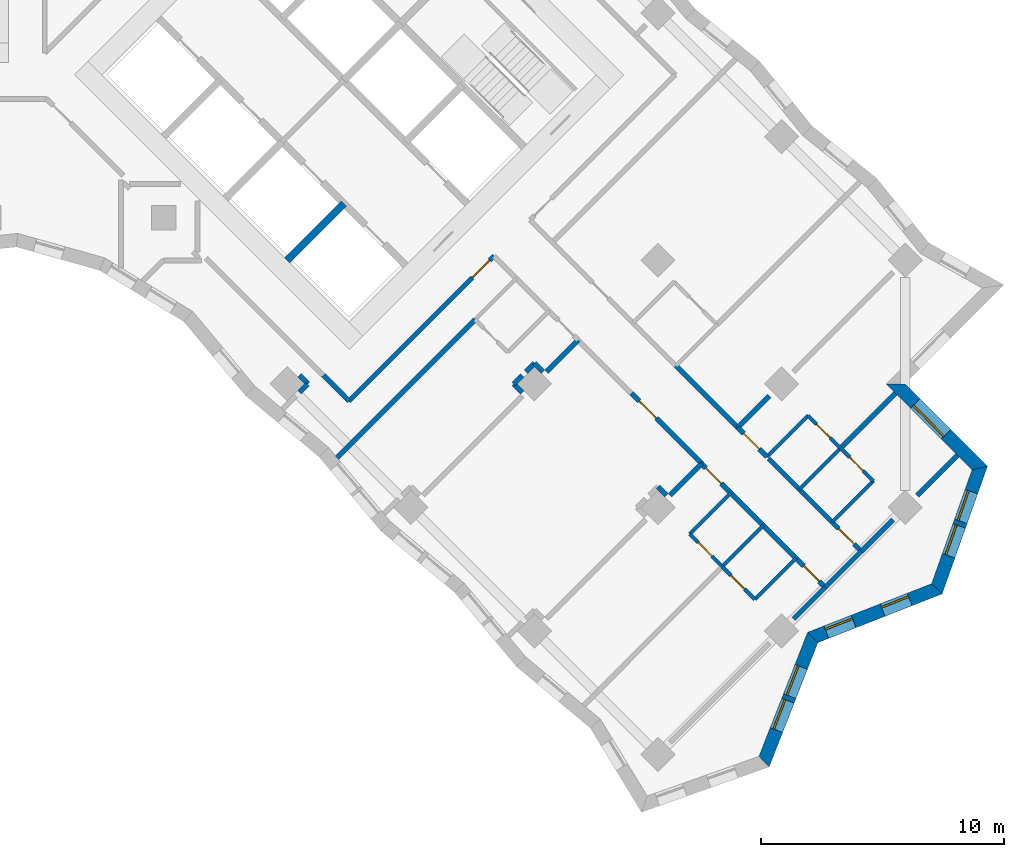
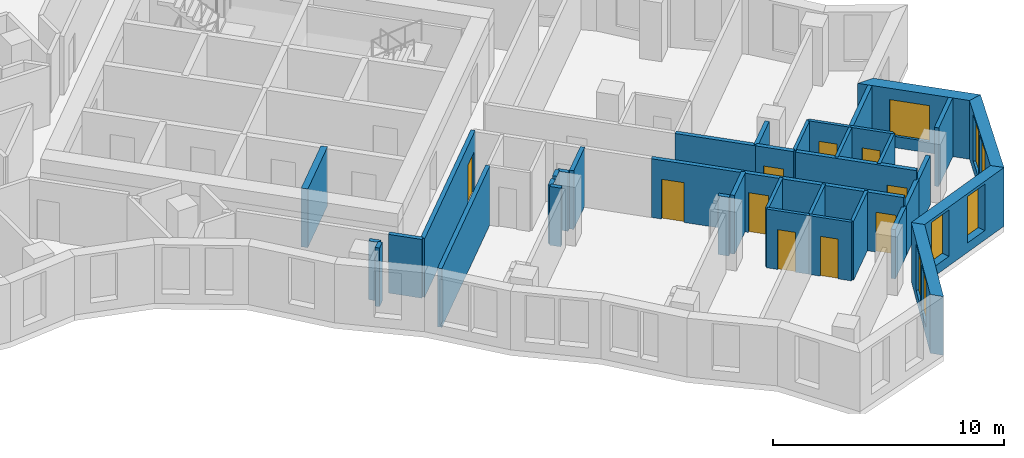
# One storey, part 8 of 12: 38 walls, 10 doors, 7 windows, 17 openings.
"""IFC4 building model written with IfcOpenShell, lengths in metres."""

import ifcopenshell
import ifcopenshell.guid

model = None  # the IFC model being written
_history = None  # IfcOwnerHistory: only IFC2X3 demands one
_inside = {}  # id of a spatial element -> (the spatial element, [elements in it])
_under = {}  # id of a project, library or spatial element -> (it, [spatial elements below it])
_declared = {}  # id of a project -> (the project, [libraries it declares])
_typed = {}  # id of a type object -> (the type object, [elements of that type])
_made_of = {}  # id of a material, layer set ... -> (it, [elements and type objects made of it])


def new_model(schema):
    """Start an empty IFC model of exactly this schema.

    Asked for "IFC4X3", IfcOpenShell would pick the latest addendum, in which some entities
    have other attributes; the version numbers below select the first issue.
    IFC2X3 requires an IfcOwnerHistory on every rooted entity: one is made here for all.
    """
    global model, _history
    if schema == "IFC4X3":
        model = ifcopenshell.file(schema_version=(4, 3, 0, 0))
    else:
        model = ifcopenshell.file(schema=schema)
    _inside.clear()
    _under.clear()
    _declared.clear()
    _typed.clear()
    _made_of.clear()
    _history = None
    if model.schema == "IFC2X3":
        org = make("IfcOrganization", Name="unknown")
        user = make(
            "IfcPersonAndOrganization",
            ThePerson=make("IfcPerson", FamilyName="unknown"),
            TheOrganization=org,
        )
        app = make(
            "IfcApplication",
            ApplicationDeveloper=org,
            Version="unknown",
            ApplicationFullName="unknown",
            ApplicationIdentifier="unknown",
        )
        _history = make(
            "IfcOwnerHistory",
            OwningUser=user,
            OwningApplication=app,
            ChangeAction="ADDED",
            CreationDate=0,
        )
    return model


def make(cls, **values):
    """One entity of the class cls with the attributes given. An attribute that is None is left unset."""
    return model.create_entity(
        cls, **{name: value for name, value in values.items() if value is not None}
    )


def rooted(cls, **values):
    """An entity with a GlobalId (a new one), such as an element, a storey or a relation."""
    return make(cls, GlobalId=ifcopenshell.guid.new(), OwnerHistory=_history, **values)


def si_unit(unit_type, name, prefix=None):
    """IfcSIUnit, for example si_unit("LENGTHUNIT", "METRE", prefix="MILLI")."""
    return make("IfcSIUnit", UnitType=unit_type, Prefix=prefix, Name=name)


def assignment(units):
    """IfcUnitAssignment: the units of a project."""
    return None if units is None else make("IfcUnitAssignment", Units=units)


def point(xyz):
    """IfcCartesianPoint."""
    return None if xyz is None else make("IfcCartesianPoint", Coordinates=xyz)


def direction(xyz):
    """IfcDirection."""
    return None if xyz is None else make("IfcDirection", DirectionRatios=xyz)


def frame(location, z_axis=None, x_axis=None):
    """IfcAxis2Placement3D, a coordinate frame: its origin and axes. An axis left out is left unset."""
    return make(
        "IfcAxis2Placement3D",
        Location=point(location),
        Axis=direction(z_axis),
        RefDirection=direction(x_axis),
    )


def frame_2d(location, x_axis=None):
    """IfcAxis2Placement2D, a coordinate frame in the plane: its origin and x axis."""
    return make(
        "IfcAxis2Placement2D", Location=point(location), RefDirection=direction(x_axis)
    )


def origin():
    """The frame at (0, 0, 0) with its axes left unset."""
    return frame((0.0, 0.0, 0.0))


def place(relative_to, where):
    """IfcLocalPlacement: puts the frame where relative to a parent placement (None: the world)."""
    return make(
        "IfcLocalPlacement", PlacementRelTo=relative_to, RelativePlacement=where
    )


def context(
    kind, dimensions, precision=None, world=None, true_north=None, identifier=None
):
    """IfcGeometricRepresentationContext, for example the 3D "Model" context."""
    return make(
        "IfcGeometricRepresentationContext",
        ContextIdentifier=identifier,
        ContextType=kind,
        CoordinateSpaceDimension=dimensions,
        Precision=precision,
        WorldCoordinateSystem=world,
        TrueNorth=true_north,
    )


def subcontext(parent, identifier, kind, view, scale=None):
    """IfcGeometricRepresentationSubContext, for example "Body" below "Model"."""
    return make(
        "IfcGeometricRepresentationSubContext",
        ContextIdentifier=identifier,
        ContextType=kind,
        ParentContext=parent,
        TargetScale=scale,
        TargetView=view,
    )


def project(units=None, contexts=None):
    """IfcProject with its units and contexts."""
    return rooted(
        "IfcProject",
        Name="project",
        RepresentationContexts=contexts,
        UnitsInContext=assignment(units),
    )


def spatial(cls, under=None, at=None, **own):
    """A site, building, storey or space (cls), placed at a placement, below another one or the project."""
    s = rooted(cls, ObjectPlacement=at, **own)
    if under is not None:
        _under.setdefault(under.id(), (under, []))[1].append(s)
    return s


def polyline(points):
    """IfcPolyline through the points."""
    return make("IfcPolyline", Points=[point(p) for p in points])


def profile(cls, at=None, kind="AREA", **sizes):
    """A parametric profile (cls). Its sizes go by their IFC names, for example OverallWidth=200.0."""
    return make(cls, ProfileType=kind, Position=at, **sizes)


def rectangle(**sizes):
    """IfcRectangleProfileDef."""
    return profile("IfcRectangleProfileDef", **sizes)


def outline(outer, holes=None, kind="AREA"):
    """IfcArbitraryClosedProfileDef: a profile drawn as a closed curve; with holes, ...WithVoids."""
    if holes is None:
        return make("IfcArbitraryClosedProfileDef", ProfileType=kind, OuterCurve=outer)
    return make(
        "IfcArbitraryProfileDefWithVoids",
        ProfileType=kind,
        OuterCurve=outer,
        InnerCurves=holes,
    )


def extrude(swept, where, along, depth):
    """IfcExtrudedAreaSolid: the profile swept, set in the frame where, extruded along a direction by depth."""
    return make(
        "IfcExtrudedAreaSolid",
        SweptArea=swept,
        Position=where,
        ExtrudedDirection=direction(along),
        Depth=depth,
    )


def shape(context_of_items, identifier, shape_type, items):
    """IfcShapeRepresentation: the items that make up one representation, for example the "Body"."""
    return make(
        "IfcShapeRepresentation",
        ContextOfItems=context_of_items,
        RepresentationIdentifier=identifier,
        RepresentationType=shape_type,
        Items=items,
    )


def material(Name=None, Category=None):
    """IfcMaterial."""
    return make("IfcMaterial", Name=Name, Category=Category)


def layer(
    of_material, thickness, ventilated=None, Name=None, Category=None, Priority=None
):
    """IfcMaterialLayer: one layer of a wall or slab, of a material (None: an air gap)."""
    return make(
        "IfcMaterialLayer",
        Material=of_material,
        LayerThickness=thickness,
        IsVentilated=ventilated,
        Name=Name,
        Category=Category,
        Priority=Priority,
    )


def layer_set(layers, Name=None):
    """IfcMaterialLayerSet."""
    return make("IfcMaterialLayerSet", MaterialLayers=layers, LayerSetName=Name)


def made_of(thing, what):
    """Note that an element or type object is made of a material, layer set ...; save() writes the relation."""
    if what is not None:
        _made_of.setdefault(what.id(), (what, []))[1].append(thing)
    return thing


def type_object(cls, material=None, **own):
    """A type object (cls), such as IfcWallType, which elements share."""
    return made_of(rooted(cls, **own), material)


def element(
    cls,
    number,
    at=None,
    inside=None,
    cuts=None,
    type_object=None,
    material=None,
    context=None,
    identifier="Body",
    shape_type=None,
    held_by="IfcProductDefinitionShape",
    body=None,
    shapes=None,
    **own,
):
    """One element of the class cls, such as IfcWall. Its Tag is "e" and its number.

    at: its placement. inside: the storey or other place that contains it. cuts: it is an
    opening in that element (IfcRelVoidsElement). A single representation is given by context,
    identifier, shape_type and body (its items); several are given by shapes. held_by: the class
    of the entity that holds the representations. save() writes the other relations.
    """
    e = rooted(cls, Tag="e%d" % number, ObjectPlacement=at, **own)
    if body is not None:
        shapes = [shape(context, identifier, shape_type, body)]
    if shapes is not None:
        e.Representation = make(held_by, Representations=shapes)
    if inside is not None:
        _inside.setdefault(inside.id(), (inside, []))[1].append(e)
    if cuts is not None:
        rooted(
            "IfcRelVoidsElement", RelatingBuildingElement=cuts, RelatedOpeningElement=e
        )
    if type_object is not None:
        _typed.setdefault(type_object.id(), (type_object, []))[1].append(e)
    return made_of(e, material)


def fill(opening, filler):
    """IfcRelFillsElement: the door or window that sits in an opening."""
    return rooted(
        "IfcRelFillsElement",
        RelatingOpeningElement=opening,
        RelatedBuildingElement=filler,
    )


def aggregate(whole, parts):
    """IfcRelAggregates: a whole, such as a stair, and the parts it consists of."""
    return rooted("IfcRelAggregates", RelatingObject=whole, RelatedObjects=parts)


def save(model, path):
    """Write the relations noted so far, then the file.

    IfcRelAggregates (storeys below a building ...), IfcRelContainedInSpatialStructure (elements
    in a storey), IfcRelDefinesByType, IfcRelAssociatesMaterial and IfcRelDeclares: one each for
    every whole, place, type object, material and project.
    """
    for whole, parts in _under.values():
        aggregate(whole, parts)
    for where, things in _inside.values():
        rooted(
            "IfcRelContainedInSpatialStructure",
            RelatedElements=things,
            RelatingStructure=where,
        )
    for kind, things in _typed.values():
        rooted("IfcRelDefinesByType", RelatedObjects=things, RelatingType=kind)
    for what, things in _made_of.values():
        rooted("IfcRelAssociatesMaterial", RelatedObjects=things, RelatingMaterial=what)
    for by, libraries in _declared.values():
        rooted("IfcRelDeclares", RelatingContext=by, RelatedDefinitions=libraries)
    model.write(path)


model = new_model("IFC4")

# Units and contexts
model_context = context("Model", 3, precision=1e-05, world=origin(), true_north=direction((0.0, 1.0)))
body_context = subcontext(model_context, "Body", "Model", "MODEL_VIEW")
ifc_project = project(units=[si_unit("LENGTHUNIT", "METRE"), si_unit("AREAUNIT", "SQUARE_METRE"), si_unit("VOLUMEUNIT", "CUBIC_METRE"), si_unit("PLANEANGLEUNIT", "RADIAN"), si_unit("MASSUNIT", "GRAM", prefix="KILO")], contexts=[model_context])

# Site, building, storey
site_placement = place(None, origin())
site = spatial("IfcSite", under=ifc_project, at=site_placement, CompositionType="ELEMENT")
building_placement = place(site_placement, origin())
building = spatial("IfcBuilding", under=site, at=building_placement, Name="Windrow Commons", CompositionType="ELEMENT")
storey_placement = place(building_placement, frame((0.0, 0.0, 88.0)))
storey = spatial("IfcBuildingStorey", under=building, at=storey_placement, Name="L23", CompositionType="ELEMENT", Elevation=88.0)

# Wall, openings, windows
ifc_material_1 = material(Name="Brick masonry, red clay brick", Category="masonry")
ifc_layer_1 = layer(ifc_material_1, 0.55)
ifc_layer_set_1 = layer_set([ifc_layer_1], Name="Brick facade wall 550")
wall_type_1 = type_object("IfcWallType", Name="Brick facade wall 550", PredefinedType="SOLIDWALL", material=ifc_layer_set_1)
wall_1_placement = place(storey_placement, frame((103.936, 20.7959, 0.0), z_axis=(0.0, 0.0, 1.0), x_axis=(0.3651939331, 0.9309314643, 0.0)))
wall_1 = element("IfcWall", 1, at=wall_1_placement, inside=storey, type_object=wall_type_1, Name="Brick facade wall L23 2", PredefinedType="SOLIDWALL", context=body_context, shape_type="SweptSolid", body=[
    extrude(outline(polyline([(-0.1254, -0.275), (5.374, -0.275), (5.6141, 0.275), (0.1254, 0.275), (-0.1254, -0.275)])), origin(), (0.0, 0.0, 1.0), 3.1),
])
opening_1_placement = place(wall_1_placement, frame((1.3973, 0.0, 0.5)))
opening_1 = element("IfcOpeningElement", 2, at=opening_1_placement, cuts=wall_1, Name="Opening W1P", PredefinedType="OPENING", context=body_context, shape_type="SweptSolid", body=[
    extrude(rectangle(XDim=1.3, YDim=2.45, at=frame_2d((0.65, 1.225))), frame((0.0, 0.285, 0.0), z_axis=(0.0, -1.0, 0.0), x_axis=(1.0, 0.0, 0.0)), (0.0, 0.0, 1.0), 0.57),
])
opening_2_placement = place(wall_1_placement, frame((2.8973, 0.0, 0.5)))
opening_2 = element("IfcOpeningElement", 3, at=opening_2_placement, cuts=wall_1, Name="Opening W1P", PredefinedType="OPENING", context=body_context, shape_type="SweptSolid", body=[
    extrude(rectangle(XDim=1.3, YDim=2.45, at=frame_2d((0.65, 1.225))), frame((0.0, 0.285, 0.0), z_axis=(0.0, -1.0, 0.0), x_axis=(1.0, 0.0, 0.0)), (0.0, 0.0, 1.0), 0.57),
])
ifc_material_2 = material(Name="Clear float glass in anodised aluminium frame", Category="aluminium")
window_type_1 = type_object("IfcWindowType", Name="Window W1P pair 1300x2450", PartitioningType="SINGLE_PANEL", PredefinedType="WINDOW", material=ifc_material_2)
window_1_placement = place(opening_1_placement, origin())
window_1 = element("IfcWindow", 4, at=window_1_placement, inside=storey, type_object=window_type_1, Name="Window L23 2.1A", OverallHeight=2.45, OverallWidth=1.3, PartitioningType="SINGLE_PANEL", PredefinedType="WINDOW", context=body_context, shape_type="SweptSolid", body=[
    extrude(rectangle(XDim=1.3, YDim=2.45, at=frame_2d((0.65, 1.225))), frame((0.0, 0.155, 0.0), z_axis=(0.0, -1.0, 0.0), x_axis=(1.0, 0.0, 0.0)), (0.0, 0.0, 1.0), 0.06),
])
fill(opening_1, window_1)
window_2_placement = place(opening_2_placement, origin())
window_2 = element("IfcWindow", 5, at=window_2_placement, inside=storey, type_object=window_type_1, Name="Window L23 2.1B", OverallHeight=2.45, OverallWidth=1.3, PartitioningType="SINGLE_PANEL", PredefinedType="WINDOW", context=body_context, shape_type="SweptSolid", body=[
    extrude(rectangle(XDim=1.3, YDim=2.45, at=frame_2d((0.65, 1.225))), frame((0.0, 0.155, 0.0), z_axis=(0.0, -1.0, 0.0), x_axis=(1.0, 0.0, 0.0)), (0.0, 0.0, 1.0), 0.06),
])
fill(opening_2, window_2)

wall_2_placement = place(storey_placement, frame((105.9424, 25.9105, 0.0), z_axis=(0.0, 0.0, 1.0), x_axis=(0.9309314643, 0.3651939331, 0.0)))
wall_2 = element("IfcWall", 6, at=wall_2_placement, inside=storey, type_object=wall_type_1, Name="Brick facade wall L23 3", PredefinedType="SOLIDWALL", context=body_context, shape_type="SweptSolid", body=[
    extrude(outline(polyline([(0.12, -0.275), (5.6195, -0.275), (5.3686, 0.275), (-0.12, 0.275), (0.12, -0.275)])), origin(), (0.0, 0.0, 1.0), 3.1),
])
opening_3_placement = place(wall_2_placement, frame((0.6051, 0.0, 0.5)))
opening_3 = element("IfcOpeningElement", 7, at=opening_3_placement, cuts=wall_2, Name="Opening W7D", PredefinedType="OPENING", context=body_context, shape_type="SweptSolid", body=[
    extrude(rectangle(XDim=1.2, YDim=2.45, at=frame_2d((0.6, 1.225))), frame((0.0, 0.285, 0.0), z_axis=(0.0, -1.0, 0.0), x_axis=(1.0, 0.0, 0.0)), (0.0, 0.0, 1.0), 0.57),
])
opening_4_placement = place(wall_2_placement, frame((3.0894, 0.0, 0.5)))
opening_4 = element("IfcOpeningElement", 8, at=opening_4_placement, cuts=wall_2, Name="Opening W7D", PredefinedType="OPENING", context=body_context, shape_type="SweptSolid", body=[
    extrude(rectangle(XDim=1.2, YDim=2.45, at=frame_2d((0.6, 1.225))), frame((0.0, 0.285, 0.0), z_axis=(0.0, -1.0, 0.0), x_axis=(1.0, 0.0, 0.0)), (0.0, 0.0, 1.0), 0.57),
])
ifc_material_3 = material(Name="Clear float glass in anodised aluminium frame", Category="aluminium")
window_type_2 = type_object("IfcWindowType", Name="Window W7 notch 1200x2450", PartitioningType="SINGLE_PANEL", PredefinedType="WINDOW", material=ifc_material_3)
window_3_placement = place(opening_3_placement, origin())
window_3 = element("IfcWindow", 9, at=window_3_placement, inside=storey, type_object=window_type_2, Name="Window L23 3.1", OverallHeight=2.45, OverallWidth=1.2, PartitioningType="SINGLE_PANEL", PredefinedType="WINDOW", context=body_context, shape_type="SweptSolid", body=[
    extrude(rectangle(XDim=1.2, YDim=2.45, at=frame_2d((0.6, 1.225))), frame((0.0, 0.155, 0.0), z_axis=(0.0, -1.0, 0.0), x_axis=(1.0, 0.0, 0.0)), (0.0, 0.0, 1.0), 0.06),
])
fill(opening_3, window_3)
window_4_placement = place(opening_4_placement, origin())
window_4 = element("IfcWindow", 10, at=window_4_placement, inside=storey, type_object=window_type_2, Name="Window L23 3.2", OverallHeight=2.45, OverallWidth=1.2, PartitioningType="SINGLE_PANEL", PredefinedType="WINDOW", context=body_context, shape_type="SweptSolid", body=[
    extrude(rectangle(XDim=1.2, YDim=2.45, at=frame_2d((0.6, 1.225))), frame((0.0, 0.155, 0.0), z_axis=(0.0, -1.0, 0.0), x_axis=(1.0, 0.0, 0.0)), (0.0, 0.0, 1.0), 0.06),
])
fill(opening_4, window_4)

wall_3_placement = place(storey_placement, frame((111.057, 27.9169, 0.0), z_axis=(0.0, 0.0, 1.0), x_axis=(0.334430452, 0.9424204331, 0.0)))
wall_3 = element("IfcWall", 11, at=wall_3_placement, inside=storey, type_object=wall_type_1, Name="Brick facade wall L23 4", PredefinedType="SOLIDWALL", context=body_context, shape_type="SweptSolid", body=[
    extrude(outline(polyline([(-0.1254, -0.275), (5.457, -0.275), (5.1097, 0.275), (0.1254, 0.275), (-0.1254, -0.275)])), origin(), (0.0, 0.0, 1.0), 3.1),
])
opening_5_placement = place(wall_3_placement, frame((1.4471, 0.0, 0.5)))
opening_5 = element("IfcOpeningElement", 12, at=opening_5_placement, cuts=wall_3, Name="Opening W1P", PredefinedType="OPENING", context=body_context, shape_type="SweptSolid", body=[
    extrude(rectangle(XDim=1.3, YDim=2.45, at=frame_2d((0.65, 1.225))), frame((0.0, 0.285, 0.0), z_axis=(0.0, -1.0, 0.0), x_axis=(1.0, 0.0, 0.0)), (0.0, 0.0, 1.0), 0.57),
])
opening_6_placement = place(wall_3_placement, frame((2.9471, 0.0, 0.5)))
opening_6 = element("IfcOpeningElement", 13, at=opening_6_placement, cuts=wall_3, Name="Opening W1P", PredefinedType="OPENING", context=body_context, shape_type="SweptSolid", body=[
    extrude(rectangle(XDim=1.3, YDim=2.45, at=frame_2d((0.65, 1.225))), frame((0.0, 0.285, 0.0), z_axis=(0.0, -1.0, 0.0), x_axis=(1.0, 0.0, 0.0)), (0.0, 0.0, 1.0), 0.57),
])
window_5_placement = place(opening_5_placement, origin())
window_5 = element("IfcWindow", 14, at=window_5_placement, inside=storey, type_object=window_type_1, Name="Window L23 4.1A", OverallHeight=2.45, OverallWidth=1.3, PartitioningType="SINGLE_PANEL", PredefinedType="WINDOW", context=body_context, shape_type="SweptSolid", body=[
    extrude(rectangle(XDim=1.3, YDim=2.45, at=frame_2d((0.65, 1.225))), frame((0.0, 0.155, 0.0), z_axis=(0.0, -1.0, 0.0), x_axis=(1.0, 0.0, 0.0)), (0.0, 0.0, 1.0), 0.06),
])
fill(opening_5, window_5)
window_6_placement = place(opening_6_placement, origin())
window_6 = element("IfcWindow", 15, at=window_6_placement, inside=storey, type_object=window_type_1, Name="Window L23 4.1B", OverallHeight=2.45, OverallWidth=1.3, PartitioningType="SINGLE_PANEL", PredefinedType="WINDOW", context=body_context, shape_type="SweptSolid", body=[
    extrude(rectangle(XDim=1.3, YDim=2.45, at=frame_2d((0.65, 1.225))), frame((0.0, 0.155, 0.0), z_axis=(0.0, -1.0, 0.0), x_axis=(1.0, 0.0, 0.0)), (0.0, 0.0, 1.0), 0.06),
])
fill(opening_6, window_6)

# Wall, opening, window
wall_4_placement = place(storey_placement, frame((112.8239, 32.896, 0.0), z_axis=(0.0, 0.0, 1.0), x_axis=(-0.7071067812, 0.7071067812, 0.0)))
wall_4 = element("IfcWall", 16, at=wall_4_placement, inside=storey, type_object=wall_type_1, Name="Brick facade wall L23 5", PredefinedType="SOLIDWALL", context=body_context, shape_type="SweptSolid", body=[
    extrude(outline(polyline([(-0.1736, -0.275), (4.6263, -0.275), (5.1763, 0.275), (0.1736, 0.275), (-0.1736, -0.275)])), origin(), (0.0, 0.0, 1.0), 3.1),
])
opening_7_placement = place(wall_4_placement, frame((1.9638, 0.0, 0.6)))
opening_7 = element("IfcOpeningElement", 17, at=opening_7_placement, cuts=wall_4, Name="Opening W1L", PredefinedType="OPENING", context=body_context, shape_type="SweptSolid", body=[
    extrude(rectangle(XDim=1.8, YDim=1.9, at=frame_2d((0.9, 0.95))), frame((0.0, 0.285, 0.0), z_axis=(0.0, -1.0, 0.0), x_axis=(1.0, 0.0, 0.0)), (0.0, 0.0, 1.0), 0.57),
])
ifc_material_4 = material(Name="Clear float glass in anodised aluminium frame", Category="aluminium")
window_type_3 = type_object("IfcWindowType", Name="Window W1L bedroom 1800x1900", PartitioningType="SINGLE_PANEL", PredefinedType="WINDOW", material=ifc_material_4)
window_7_placement = place(opening_7_placement, origin())
window_7 = element("IfcWindow", 18, at=window_7_placement, inside=storey, type_object=window_type_3, Name="Window L23 5.1", OverallHeight=1.9, OverallWidth=1.8, PartitioningType="SINGLE_PANEL", PredefinedType="WINDOW", context=body_context, shape_type="SweptSolid", body=[
    extrude(rectangle(XDim=1.8, YDim=1.9, at=frame_2d((0.9, 0.95))), frame((0.0, 0.155, 0.0), z_axis=(0.0, -1.0, 0.0), x_axis=(1.0, 0.0, 0.0)), (0.0, 0.0, 1.0), 0.06),
])
fill(opening_7, window_7)

# Wall, opening, door
ifc_material_5 = material(Name="Blockwork partition", Category="masonry")
ifc_layer_2 = layer(ifc_material_5, 0.2)
ifc_layer_set_2 = layer_set([ifc_layer_2], Name="IW-CORRIDOR-200")
wall_type_2 = type_object("IfcWallType", Name="IW-CORRIDOR-200", PredefinedType="PARTITIONING", material=ifc_layer_set_2)
wall_5_placement = place(storey_placement, frame((86.8352, 35.6548, 0.0), z_axis=(0.0, 0.0, 1.0), x_axis=(0.7071067812, 0.7071067812, 0.0)))
wall_5 = element("IfcWall", 19, at=wall_5_placement, inside=storey, type_object=wall_type_2, Name="W-L23-W009", PredefinedType="PARTITIONING", context=body_context, shape_type="SweptSolid", body=[
    extrude(rectangle(XDim=8.4513, YDim=0.2, at=frame_2d((4.2256, 0.0))), origin(), (0.0, 0.0, 1.0), 3.1),
])
opening_8_placement = place(wall_5_placement, frame((7.1918, 0.0, 0.0)))
opening_8 = element("IfcOpeningElement", 20, at=opening_8_placement, cuts=wall_5, Name="Opening D310F", PredefinedType="OPENING", context=body_context, shape_type="SweptSolid", body=[
    extrude(rectangle(XDim=1.0, YDim=2.1, at=frame_2d((0.5, 1.05))), frame((0.0, 0.11, 0.0), z_axis=(0.0, -1.0, 0.0), x_axis=(1.0, 0.0, 0.0)), (0.0, 0.0, 1.0), 0.22),
])
ifc_material_6 = material(Name="Timber door leaf", Category="wood")
door_type_1 = type_object("IfcDoorType", Name="DT-AMENITY-1000", OperationType="SINGLE_SWING_LEFT", PredefinedType="DOOR", material=ifc_material_6)
door_1_placement = place(opening_8_placement, origin())
door_1 = element("IfcDoor", 21, at=door_1_placement, inside=storey, type_object=door_type_1, Name="D-L23-D047", OperationType="SINGLE_SWING_RIGHT", OverallHeight=2.1, OverallWidth=1.0, PredefinedType="DOOR", context=body_context, shape_type="SweptSolid", body=[
    extrude(rectangle(XDim=1.0, YDim=2.1, at=frame_2d((0.5, 1.05))), frame((0.0, 0.025, 0.0), z_axis=(0.0, -1.0, 0.0), x_axis=(1.0, 0.0, 0.0)), (0.0, 0.0, 1.0), 0.05),
])
fill(opening_8, door_1)

# Wall, openings, doors
wall_6_placement = place(storey_placement, frame((101.3646, 33.0706, 0.0), z_axis=(0.0, 0.0, 1.0), x_axis=(0.7071067812, -0.7071067812, 0.0)))
wall_6 = element("IfcWall", 22, at=wall_6_placement, inside=storey, type_object=wall_type_2, Name="W-L23-W021", PredefinedType="PARTITIONING", context=body_context, shape_type="SweptSolid", body=[
    extrude(rectangle(XDim=7.1998, YDim=0.2, at=frame_2d((3.5999, 0.0))), origin(), (0.0, 0.0, 1.0), 3.1),
])
opening_9_placement = place(wall_6_placement, frame((0.2484, 0.0, 0.0)))
opening_9 = element("IfcOpeningElement", 23, at=opening_9_placement, cuts=wall_6, Name="Opening D109S", PredefinedType="OPENING", context=body_context, shape_type="SweptSolid", body=[
    extrude(rectangle(XDim=0.9, YDim=2.1, at=frame_2d((0.45, 1.05))), frame((0.0, 0.11, 0.0), z_axis=(0.0, -1.0, 0.0), x_axis=(1.0, 0.0, 0.0)), (0.0, 0.0, 1.0), 0.22),
])
opening_10_placement = place(wall_6_placement, frame((5.95, 0.0, 0.0)))
opening_10 = element("IfcOpeningElement", 24, at=opening_10_placement, cuts=wall_6, Name="Opening D109S", PredefinedType="OPENING", context=body_context, shape_type="SweptSolid", body=[
    extrude(rectangle(XDim=0.9, YDim=2.1, at=frame_2d((0.45, 1.05))), frame((0.0, 0.11, 0.0), z_axis=(0.0, -1.0, 0.0), x_axis=(1.0, 0.0, 0.0)), (0.0, 0.0, 1.0), 0.22),
])
ifc_material_7 = material(Name="Timber door leaf", Category="wood")
door_type_2 = type_object("IfcDoorType", Name="DT-BEDROOM-900", OperationType="SINGLE_SWING_LEFT", PredefinedType="DOOR", material=ifc_material_7)
door_2_placement = place(opening_9_placement, origin())
door_2 = element("IfcDoor", 25, at=door_2_placement, inside=storey, type_object=door_type_2, Name="D-L23-D051", OperationType="SINGLE_SWING_RIGHT", OverallHeight=2.1, OverallWidth=0.9, PredefinedType="DOOR", context=body_context, shape_type="SweptSolid", body=[
    extrude(rectangle(XDim=0.9, YDim=2.1, at=frame_2d((0.45, 1.05))), frame((0.0, 0.025, 0.0), z_axis=(0.0, -1.0, 0.0), x_axis=(1.0, 0.0, 0.0)), (0.0, 0.0, 1.0), 0.05),
])
fill(opening_9, door_2)
door_3_placement = place(opening_10_placement, origin())
door_3 = element("IfcDoor", 26, at=door_3_placement, inside=storey, type_object=door_type_2, Name="D-L23-D053", OperationType="SINGLE_SWING_LEFT", OverallHeight=2.1, OverallWidth=0.9, PredefinedType="DOOR", context=body_context, shape_type="SweptSolid", body=[
    extrude(rectangle(XDim=0.9, YDim=2.1, at=frame_2d((0.45, 1.05))), frame((0.0, 0.025, 0.0), z_axis=(0.0, -1.0, 0.0), x_axis=(1.0, 0.0, 0.0)), (0.0, 0.0, 1.0), 0.05),
])
fill(opening_10, door_3)

# Wall, opening, door
wall_7_placement = place(storey_placement, frame((104.1225, 33.2825, 0.0), z_axis=(0.0, 0.0, 1.0), x_axis=(0.7071067812, -0.7071067812, 0.0)))
wall_7 = element("IfcWall", 27, at=wall_7_placement, inside=storey, type_object=wall_type_2, Name="W-L23-W035", PredefinedType="PARTITIONING", context=body_context, shape_type="SweptSolid", body=[
    extrude(rectangle(XDim=5.3995, YDim=0.2, at=frame_2d((2.6997, 0.0))), origin(), (0.0, 0.0, 1.0), 3.1),
])
opening_11_placement = place(wall_7_placement, frame((4.0797, 0.0, 0.0)))
opening_11 = element("IfcOpeningElement", 28, at=opening_11_placement, cuts=wall_7, Name="Opening D109S", PredefinedType="OPENING", context=body_context, shape_type="SweptSolid", body=[
    extrude(rectangle(XDim=0.9, YDim=2.1, at=frame_2d((0.45, 1.05))), frame((0.0, 0.11, 0.0), z_axis=(0.0, -1.0, 0.0), x_axis=(1.0, 0.0, 0.0)), (0.0, 0.0, 1.0), 0.22),
])
door_4_placement = place(opening_11_placement, origin())
door_4 = element("IfcDoor", 29, at=door_4_placement, inside=storey, type_object=door_type_2, Name="D-L23-D055", OperationType="SINGLE_SWING_RIGHT", OverallHeight=2.1, OverallWidth=0.9, PredefinedType="DOOR", context=body_context, shape_type="SweptSolid", body=[
    extrude(rectangle(XDim=0.9, YDim=2.1, at=frame_2d((0.45, 1.05))), frame((0.0, 0.025, 0.0), z_axis=(0.0, -1.0, 0.0), x_axis=(1.0, 0.0, 0.0)), (0.0, 0.0, 1.0), 0.05),
])
fill(opening_11, door_4)

wall_8_placement = place(storey_placement, frame((98.4693, 35.9733, 0.0), z_axis=(0.0, 0.0, 1.0), x_axis=(0.7073506531, -0.7068628251, 0.0)))
wall_8 = element("IfcWall", 30, at=wall_8_placement, inside=storey, type_object=wall_type_2, Name="W-L23-W052", PredefinedType="PARTITIONING", context=body_context, shape_type="SweptSolid", body=[
    extrude(rectangle(XDim=4.0998, YDim=0.2, at=frame_2d((2.0499, 0.0))), origin(), (0.0, 0.0, 1.0), 3.1),
])
opening_12_placement = place(wall_8_placement, frame((0.4573, 0.0, 0.0)))
opening_12 = element("IfcOpeningElement", 31, at=opening_12_placement, cuts=wall_8, Name="Opening D310F", PredefinedType="OPENING", context=body_context, shape_type="SweptSolid", body=[
    extrude(rectangle(XDim=1.0, YDim=2.1, at=frame_2d((0.5, 1.05))), frame((0.0, 0.11, 0.0), z_axis=(0.0, -1.0, 0.0), x_axis=(1.0, 0.0, 0.0)), (0.0, 0.0, 1.0), 0.22),
])
door_5_placement = place(opening_12_placement, origin())
door_5 = element("IfcDoor", 32, at=door_5_placement, inside=storey, type_object=door_type_1, Name="D-L23-D050", OperationType="SINGLE_SWING_RIGHT", OverallHeight=2.1, OverallWidth=1.0, PredefinedType="DOOR", context=body_context, shape_type="SweptSolid", body=[
    extrude(rectangle(XDim=1.0, YDim=2.1, at=frame_2d((0.5, 1.05))), frame((0.0, 0.025, 0.0), z_axis=(0.0, -1.0, 0.0), x_axis=(1.0, 0.0, 0.0)), (0.0, 0.0, 1.0), 0.05),
])
fill(opening_12, door_5)

# Walls
wall_9_placement = place(storey_placement, frame((100.3098, 37.1058, 0.0), z_axis=(0.0, 0.0, 1.0), x_axis=(0.7073845681, -0.7068288851, 0.0)))
element("IfcWall", 33, at=wall_9_placement, inside=storey, type_object=wall_type_2, Name="W-L23-W058", PredefinedType="PARTITIONING", context=body_context, shape_type="SweptSolid", body=[
    extrude(rectangle(XDim=3.5992, YDim=0.2, at=frame_2d((1.7996, 0.0))), origin(), (0.0, 0.0, 1.0), 3.1),
])
wall_10_placement = place(storey_placement, frame((106.4574, 27.9826, 0.0), z_axis=(0.0, 0.0, 1.0), x_axis=(0.7071067812, 0.7071067812, 0.0)))
element("IfcWall", 34, at=wall_10_placement, inside=storey, type_object=wall_type_2, Name="W-L23-W101", PredefinedType="PARTITIONING", context=body_context, shape_type="SweptSolid", body=[
    extrude(rectangle(XDim=2.1015, YDim=0.2, at=frame_2d((1.0508, 0.0))), origin(), (0.0, 0.0, 1.0), 2.6),
])

# Wall, opening, door
wall_11_placement = place(storey_placement, frame((102.8566, 34.5626, 0.0), z_axis=(0.0, 0.0, 1.0), x_axis=(0.7071067812, -0.7071067812, 0.0)))
wall_11 = element("IfcWall", 35, at=wall_11_placement, inside=storey, type_object=wall_type_2, Name="W-L23-W140", PredefinedType="PARTITIONING", context=body_context, shape_type="SweptSolid", body=[
    extrude(rectangle(XDim=1.6999, YDim=0.2, at=frame_2d((0.8499, 0.0))), origin(), (0.0, 0.0, 1.0), 3.1),
])
opening_13_placement = place(wall_11_placement, frame((0.35, 0.0, 0.0)))
opening_13 = element("IfcOpeningElement", 36, at=opening_13_placement, cuts=wall_11, Name="Opening D109S", PredefinedType="OPENING", context=body_context, shape_type="SweptSolid", body=[
    extrude(rectangle(XDim=0.9, YDim=2.1, at=frame_2d((0.45, 1.05))), frame((0.0, 0.11, 0.0), z_axis=(0.0, -1.0, 0.0), x_axis=(1.0, 0.0, 0.0)), (0.0, 0.0, 1.0), 0.22),
])
door_6_placement = place(opening_13_placement, origin())
door_6 = element("IfcDoor", 37, at=door_6_placement, inside=storey, type_object=door_type_2, Name="D-L23-D045", OperationType="SINGLE_SWING_LEFT", OverallHeight=2.1, OverallWidth=0.9, PredefinedType="DOOR", context=body_context, shape_type="SweptSolid", body=[
    extrude(rectangle(XDim=0.9, YDim=2.1, at=frame_2d((0.45, 1.05))), frame((0.0, 0.025, 0.0), z_axis=(0.0, -1.0, 0.0), x_axis=(1.0, 0.0, 0.0)), (0.0, 0.0, 1.0), 0.05),
])
fill(opening_13, door_6)

# Walls
wall_12_placement = place(storey_placement, frame((85.7777, 36.7177, 0.0), z_axis=(0.0, 0.0, 1.0), x_axis=(0.7064400143, -0.70777292, 0.0)))
element("IfcWall", 38, at=wall_12_placement, inside=storey, type_object=wall_type_2, Name="W-L23-W145", PredefinedType="PARTITIONING", context=body_context, shape_type="SweptSolid", body=[
    extrude(rectangle(XDim=1.5005, YDim=0.2, at=frame_2d((0.7502, 0.0))), origin(), (0.0, 0.0, 1.0), 3.1),
])
ifc_material_8 = material(Name="Blockwork partition", Category="masonry")
ifc_layer_3 = layer(ifc_material_8, 0.15)
ifc_layer_set_3 = layer_set([ifc_layer_3], Name="IW-ENSUITE-150")
wall_type_3 = type_object("IfcWallType", Name="IW-ENSUITE-150", PredefinedType="PARTITIONING", material=ifc_layer_set_3)
wall_13_placement = place(storey_placement, frame((100.8713, 30.1747, 0.0), z_axis=(0.0, 0.0, 1.0), x_axis=(0.7071067812, 0.7071067812, 0.0)))
element("IfcWall", 39, at=wall_13_placement, inside=storey, type_object=wall_type_3, Name="W-L23-W070", PredefinedType="PARTITIONING", context=body_context, shape_type="SweptSolid", body=[
    extrude(rectangle(XDim=2.4013, YDim=0.15, at=frame_2d((1.2006, 0.0))), origin(), (0.0, 0.0, 1.0), 3.1),
])
wall_14_placement = place(storey_placement, frame((105.3958, 32.0162, 0.0), z_axis=(0.0, 0.0, 1.0), x_axis=(0.7075233388, 0.706689978, 0.0)))
element("IfcWall", 40, at=wall_14_placement, inside=storey, type_object=wall_type_3, Name="W-L23-W095", PredefinedType="PARTITIONING", context=body_context, shape_type="SweptSolid", body=[
    extrude(rectangle(XDim=2.3999, YDim=0.15, at=frame_2d((1.2, 0.0))), origin(), (0.0, 0.0, 1.0), 3.1),
])
for number, where, z_axis, x_axis, name in (
    (41, (102.2158, 28.8322, 0.0), (0.0, 0.0, 1.0), (0.7071067812, 0.7071067812, 0.0), "W-L23-W096"),
    (42, (104.0553, 33.3587, 0.0), (0.0, 0.0, 1.0), (0.7071067812, 0.7071067812, 0.0), "W-L23-W097"),
    (43, (103.5593, 27.4887, 0.0), (0.0, 0.0, 1.0), (0.7071067812, 0.7071067812, 0.0), "W-L23-W098"),
    (44, (106.7413, 30.6707, 0.0), (0.0, 0.0, 1.0), (0.7071067812, 0.7071067812, 0.0), "W-L23-W099"),
):
    element("IfcWall", number, at=place(storey_placement, frame(where, z_axis=z_axis, x_axis=x_axis)), inside=storey, type_object=wall_type_3, Name=name, PredefinedType="PARTITIONING", context=body_context, shape_type="SweptSolid", body=[
        extrude(rectangle(XDim=2.3985, YDim=0.15, at=frame_2d((1.1992, 0.0))), origin(), (0.0, 0.0, 1.0), 3.1),
    ])

# Wall, opening, door
wall_15_placement = place(storey_placement, frame((105.7486, 35.0506, 0.0), z_axis=(0.0, 0.0, 1.0), x_axis=(0.7071067812, -0.7071067812, 0.0)))
wall_15 = element("IfcWall", 45, at=wall_15_placement, inside=storey, type_object=wall_type_3, Name="W-L23-W123", PredefinedType="PARTITIONING", context=body_context, shape_type="SweptSolid", body=[
    extrude(rectangle(XDim=1.9007, YDim=0.15, at=frame_2d((0.9504, 0.0))), origin(), (0.0, 0.0, 1.0), 3.1),
])
opening_14_placement = place(wall_15_placement, frame((0.4932, 0.0, 0.0)))
opening_14 = element("IfcOpeningElement", 46, at=opening_14_placement, cuts=wall_15, Name="Opening D208N", PredefinedType="OPENING", context=body_context, shape_type="SweptSolid", body=[
    extrude(rectangle(XDim=0.8, YDim=2.1, at=frame_2d((0.4, 1.05))), frame((0.0, 0.085, 0.0), z_axis=(0.0, -1.0, 0.0), x_axis=(1.0, 0.0, 0.0)), (0.0, 0.0, 1.0), 0.17),
])
ifc_material_9 = material(Name="Timber door leaf", Category="wood")
door_type_3 = type_object("IfcDoorType", Name="DT-ENSUITE-800", OperationType="SINGLE_SWING_LEFT", PredefinedType="DOOR", material=ifc_material_9)
door_7_placement = place(opening_14_placement, origin())
door_7 = element("IfcDoor", 47, at=door_7_placement, inside=storey, type_object=door_type_3, Name="D-L23-D046", OperationType="SINGLE_SWING_RIGHT", OverallHeight=2.1, OverallWidth=0.8, PredefinedType="DOOR", context=body_context, shape_type="SweptSolid", body=[
    extrude(rectangle(XDim=0.8, YDim=2.1, at=frame_2d((0.4, 1.05))), frame((0.0, 0.025, 0.0), z_axis=(0.0, -1.0, 0.0), x_axis=(1.0, 0.0, 0.0)), (0.0, 0.0, 1.0), 0.05),
])
fill(opening_14, door_7)

wall_16_placement = place(storey_placement, frame((100.8746, 30.1766, 0.0), z_axis=(0.0, 0.0, 1.0), x_axis=(0.7076330979, -0.7065800724, 0.0)))
wall_16 = element("IfcWall", 48, at=wall_16_placement, inside=storey, type_object=wall_type_3, Name="W-L23-W131", PredefinedType="PARTITIONING", context=body_context, shape_type="SweptSolid", body=[
    extrude(rectangle(XDim=1.8993, YDim=0.15, at=frame_2d((0.9496, 0.0))), origin(), (0.0, 0.0, 1.0), 3.1),
])
opening_15_placement = place(wall_16_placement, frame((0.4932, 0.0, 0.0)))
opening_15 = element("IfcOpeningElement", 49, at=opening_15_placement, cuts=wall_16, Name="Opening D208N", PredefinedType="OPENING", context=body_context, shape_type="SweptSolid", body=[
    extrude(rectangle(XDim=0.8, YDim=2.1, at=frame_2d((0.4, 1.05))), frame((0.0, 0.085, 0.0), z_axis=(0.0, -1.0, 0.0), x_axis=(1.0, 0.0, 0.0)), (0.0, 0.0, 1.0), 0.17),
])
door_8_placement = place(opening_15_placement, origin())
door_8 = element("IfcDoor", 50, at=door_8_placement, inside=storey, type_object=door_type_3, Name="D-L23-D052", OperationType="SINGLE_SWING_RIGHT", OverallHeight=2.1, OverallWidth=0.8, PredefinedType="DOOR", context=body_context, shape_type="SweptSolid", body=[
    extrude(rectangle(XDim=0.8, YDim=2.1, at=frame_2d((0.4, 1.05))), frame((0.0, 0.025, 0.0), z_axis=(0.0, -1.0, 0.0), x_axis=(1.0, 0.0, 0.0)), (0.0, 0.0, 1.0), 0.05),
])
fill(opening_15, door_8)

wall_17_placement = place(storey_placement, frame((107.0935, 33.7075, 0.0), z_axis=(0.0, 0.0, 1.0), x_axis=(0.7065800724, -0.7076330979, 0.0)))
wall_17 = element("IfcWall", 51, at=wall_17_placement, inside=storey, type_object=wall_type_3, Name="W-L23-W132", PredefinedType="PARTITIONING", context=body_context, shape_type="SweptSolid", body=[
    extrude(rectangle(XDim=1.8993, YDim=0.15, at=frame_2d((0.9496, 0.0))), origin(), (0.0, 0.0, 1.0), 3.1),
])
opening_16_placement = place(wall_17_placement, frame((0.5187, 0.0, 0.0)))
opening_16 = element("IfcOpeningElement", 52, at=opening_16_placement, cuts=wall_17, Name="Opening D208N", PredefinedType="OPENING", context=body_context, shape_type="SweptSolid", body=[
    extrude(rectangle(XDim=0.8, YDim=2.1, at=frame_2d((0.4, 1.05))), frame((0.0, 0.085, 0.0), z_axis=(0.0, -1.0, 0.0), x_axis=(1.0, 0.0, 0.0)), (0.0, 0.0, 1.0), 0.17),
])
door_9_placement = place(opening_16_placement, origin())
door_9 = element("IfcDoor", 53, at=door_9_placement, inside=storey, type_object=door_type_3, Name="D-L23-D056", OperationType="SINGLE_SWING_RIGHT", OverallHeight=2.1, OverallWidth=0.8, PredefinedType="DOOR", context=body_context, shape_type="SweptSolid", body=[
    extrude(rectangle(XDim=0.8, YDim=2.1, at=frame_2d((0.4, 1.05))), frame((0.0, 0.025, 0.0), z_axis=(0.0, -1.0, 0.0), x_axis=(1.0, 0.0, 0.0)), (0.0, 0.0, 1.0), 0.05),
])
fill(opening_16, door_9)

wall_18_placement = place(storey_placement, frame((102.2145, 28.8265, 0.0), z_axis=(0.0, 0.0, 1.0), x_axis=(0.7071067812, -0.7071067812, 0.0)))
wall_18 = element("IfcWall", 54, at=wall_18_placement, inside=storey, type_object=wall_type_3, Name="W-L23-W133", PredefinedType="PARTITIONING", context=body_context, shape_type="SweptSolid", body=[
    extrude(rectangle(XDim=1.8979, YDim=0.15, at=frame_2d((0.9489, 0.0))), origin(), (0.0, 0.0, 1.0), 3.1),
])
opening_17_placement = place(wall_18_placement, frame((0.5001, 0.0, 0.0)))
opening_17 = element("IfcOpeningElement", 55, at=opening_17_placement, cuts=wall_18, Name="Opening D208N", PredefinedType="OPENING", context=body_context, shape_type="SweptSolid", body=[
    extrude(rectangle(XDim=0.8, YDim=2.1, at=frame_2d((0.4, 1.05))), frame((0.0, 0.085, 0.0), z_axis=(0.0, -1.0, 0.0), x_axis=(1.0, 0.0, 0.0)), (0.0, 0.0, 1.0), 0.17),
])
door_10_placement = place(opening_17_placement, origin())
door_10 = element("IfcDoor", 56, at=door_10_placement, inside=storey, type_object=door_type_3, Name="D-L23-D054", OperationType="SINGLE_SWING_RIGHT", OverallHeight=2.1, OverallWidth=0.8, PredefinedType="DOOR", context=body_context, shape_type="SweptSolid", body=[
    extrude(rectangle(XDim=0.8, YDim=2.1, at=frame_2d((0.4, 1.05))), frame((0.0, 0.025, 0.0), z_axis=(0.0, -1.0, 0.0), x_axis=(1.0, 0.0, 0.0)), (0.0, 0.0, 1.0), 0.05),
])
fill(opening_17, door_10)

# Walls
ifc_material_10 = material(Name="Blockwork partition", Category="masonry")
ifc_layer_4 = layer(ifc_material_10, 0.2)
ifc_layer_set_4 = layer_set([ifc_layer_4], Name="IW-PARTY-200")
wall_type_4 = type_object("IfcWallType", Name="IW-PARTY-200", PredefinedType="PARTITIONING", material=ifc_layer_set_4)
wall_19_placement = place(storey_placement, frame((86.3466, 33.3208, 0.0), z_axis=(0.0, 0.0, 1.0), x_axis=(0.706982505, 0.7072310356, 0.0)))
element("IfcWall", 57, at=wall_19_placement, inside=storey, type_object=wall_type_4, Name="W-L23-W018", PredefinedType="PARTITIONING", context=body_context, shape_type="SweptSolid", body=[
    extrude(rectangle(XDim=8.0473, YDim=0.2, at=frame_2d((4.0236, 0.0))), origin(), (0.0, 0.0, 1.0), 3.1),
])
wall_20_placement = place(storey_placement, frame((107.0948, 33.7112, 0.0), z_axis=(0.0, 0.0, 1.0), x_axis=(0.7071067812, 0.7071067812, 0.0)))
element("IfcWall", 58, at=wall_20_placement, inside=storey, type_object=wall_type_4, Name="W-L23-W062", PredefinedType="PARTITIONING", context=body_context, shape_type="SweptSolid", body=[
    extrude(rectangle(XDim=3.1997, YDim=0.2, at=frame_2d((1.5998, 0.0))), origin(), (0.0, 0.0, 1.0), 3.1),
])
wall_21_placement = place(storey_placement, frame((110.2515, 31.7666, 0.0), z_axis=(0.0, 0.0, 1.0), x_axis=(0.7066584143, 0.7075548639, 0.0)))
element("IfcWall", 59, at=wall_21_placement, inside=storey, type_object=wall_type_4, Name="W-L23-W100", PredefinedType="PARTITIONING", context=body_context, shape_type="SweptSolid", body=[
    extrude(rectangle(XDim=2.3426, YDim=0.2, at=frame_2d((1.1713, 0.0))), origin(), (0.0, 0.0, 1.0), 3.1),
])
wall_22_placement = place(storey_placement, frame((100.0632, 31.7708, 0.0), z_axis=(0.0, 0.0, 1.0), x_axis=(0.7071067812, 0.7071067812, 0.0)))
element("IfcWall", 60, at=wall_22_placement, inside=storey, type_object=wall_type_4, Name="W-L23-W134", PredefinedType="PARTITIONING", context=body_context, shape_type="SweptSolid", body=[
    extrude(rectangle(XDim=1.8441, YDim=0.2, at=frame_2d((0.9221, 0.0))), origin(), (0.0, 0.0, 1.0), 3.1),
])
wall_23_placement = place(storey_placement, frame((107.9466, 29.4654, 0.0), z_axis=(0.0, 0.0, 1.0), x_axis=(0.7076492487, 0.7065638971, 0.0)))
element("IfcWall", 61, at=wall_23_placement, inside=storey, type_object=wall_type_4, Name="W-L23-W135", PredefinedType="PARTITIONING", context=body_context, shape_type="SweptSolid", body=[
    extrude(rectangle(XDim=1.8427, YDim=0.2, at=frame_2d((0.9214, 0.0))), origin(), (0.0, 0.0, 1.0), 2.6),
])
for number, where, z_axis, x_axis, name in (
    (62, (94.973, 36.863, 0.0), (0.0, 0.0, 1.0), (0.7071067812, 0.7071067812, 0.0), "W-L23-W136"),
    (63, (102.8532, 34.5608, 0.0), (0.0, 0.0, 1.0), (0.7071067812, 0.7071067812, 0.0), "W-L23-W137"),
):
    element("IfcWall", number, at=place(storey_placement, frame(where, z_axis=z_axis, x_axis=x_axis)), inside=storey, type_object=wall_type_4, Name=name, PredefinedType="PARTITIONING", context=body_context, shape_type="SweptSolid", body=[
        extrude(rectangle(XDim=1.8413, YDim=0.2, at=frame_2d((0.9206, 0.0))), origin(), (0.0, 0.0, 1.0), 3.1),
    ])
wall_24_placement = place(storey_placement, frame((105.1554, 26.6806, 0.0), z_axis=(0.0, 0.0, 1.0), x_axis=(0.7071067812, 0.7071067812, 0.0)))
element("IfcWall", 64, at=wall_24_placement, inside=storey, type_object=wall_type_4, Name="W-L23-W138", PredefinedType="PARTITIONING", context=body_context, shape_type="SweptSolid", body=[
    extrude(rectangle(XDim=1.8413, YDim=0.2, at=frame_2d((0.9206, 0.0))), origin(), (0.0, 0.0, 1.0), 2.6),
])
for number, where, z_axis, x_axis, name in (
    (65, (99.5688, 32.1228, 0.0), (0.0, 0.0, 1.0), (0.7071067812, -0.7071067812, 0.0), "W-L23-W162"),
    (66, (84.7916, 36.7176, 0.0), (0.0, 0.0, 1.0), (0.7071067812, -0.7071067812, 0.0), "W-L23-W163"),
    (67, (93.6208, 36.3592, 0.0), (0.0, 0.0, 1.0), (0.7071067812, 0.7071067812, 0.0), "W-L23-W165"),
):
    element("IfcWall", number, at=place(storey_placement, frame(where, z_axis=z_axis, x_axis=x_axis)), inside=storey, type_object=wall_type_4, Name=name, PredefinedType="PARTITIONING", context=body_context, shape_type="SweptSolid", body=[
        extrude(rectangle(XDim=0.4978, YDim=0.2, at=frame_2d((0.2489, 0.0))), origin(), (0.0, 0.0, 1.0), 3.1),
    ])
wall_25_placement = place(storey_placement, frame((84.7911, 36.0149, 0.0), z_axis=(0.0, 0.0, 1.0), x_axis=(0.7071067812, 0.7071067812, 0.0)))
element("IfcWall", 68, at=wall_25_placement, inside=storey, type_object=wall_type_4, Name="W-L23-W169", PredefinedType="PARTITIONING", context=body_context, shape_type="SweptSolid", body=[
    extrude(rectangle(XDim=0.4678, YDim=0.2, at=frame_2d((0.2339, 0.0))), origin(), (0.0, 0.0, 1.0), 3.1),
])
for number, where, z_axis, x_axis, name in (
    (69, (94.4778, 37.2138, 0.0), (0.0, 0.0, 1.0), (0.7071067812, -0.7071067812, 0.0), "W-L23-W170"),
    (70, (94.1248, 36.8632, 0.0), (0.0, 0.0, 1.0), (0.7071067812, 0.7071067812, 0.0), "W-L23-W172"),
    (71, (93.6222, 36.3582, 0.0), (0.0, 0.0, 1.0), (0.7071067812, -0.7071067812, 0.0), "W-L23-W174"),
):
    element("IfcWall", number, at=place(storey_placement, frame(where, z_axis=z_axis, x_axis=x_axis)), inside=storey, type_object=wall_type_4, Name=name, PredefinedType="PARTITIONING", context=body_context, shape_type="SweptSolid", body=[
        extrude(rectangle(XDim=0.4978, YDim=0.2, at=frame_2d((0.2489, 0.0))), origin(), (0.0, 0.0, 1.0), 3.1),
    ])
ifc_material_11 = material(Name="Concrete C50/60", Category="concrete")
ifc_layer_5 = layer(ifc_material_11, 0.3)
ifc_layer_set_5 = layer_set([ifc_layer_5], Name="RC SHAFT WALL 300 C50/60")
wall_type_5 = type_object("IfcWallType", Name="RC SHAFT WALL 300 C50/60", PredefinedType="SOLIDWALL", material=ifc_layer_set_5)
wall_26_placement = place(storey_placement, frame((84.2912, 41.453, 0.0), z_axis=(0.0, 0.0, 1.0), x_axis=(0.7071067812, 0.7071067812, 0.0)))
element("IfcWall", 72, at=wall_26_placement, inside=storey, type_object=wall_type_5, Name="Core B wall shaft-S3", PredefinedType="SOLIDWALL", context=body_context, shape_type="SweptSolid", body=[
    extrude(rectangle(XDim=3.2999, YDim=0.3, at=frame_2d((1.65, 0.0))), origin(), (0.0, 0.0, 1.0), 3.1),
])

save(model, "model.ifc")
